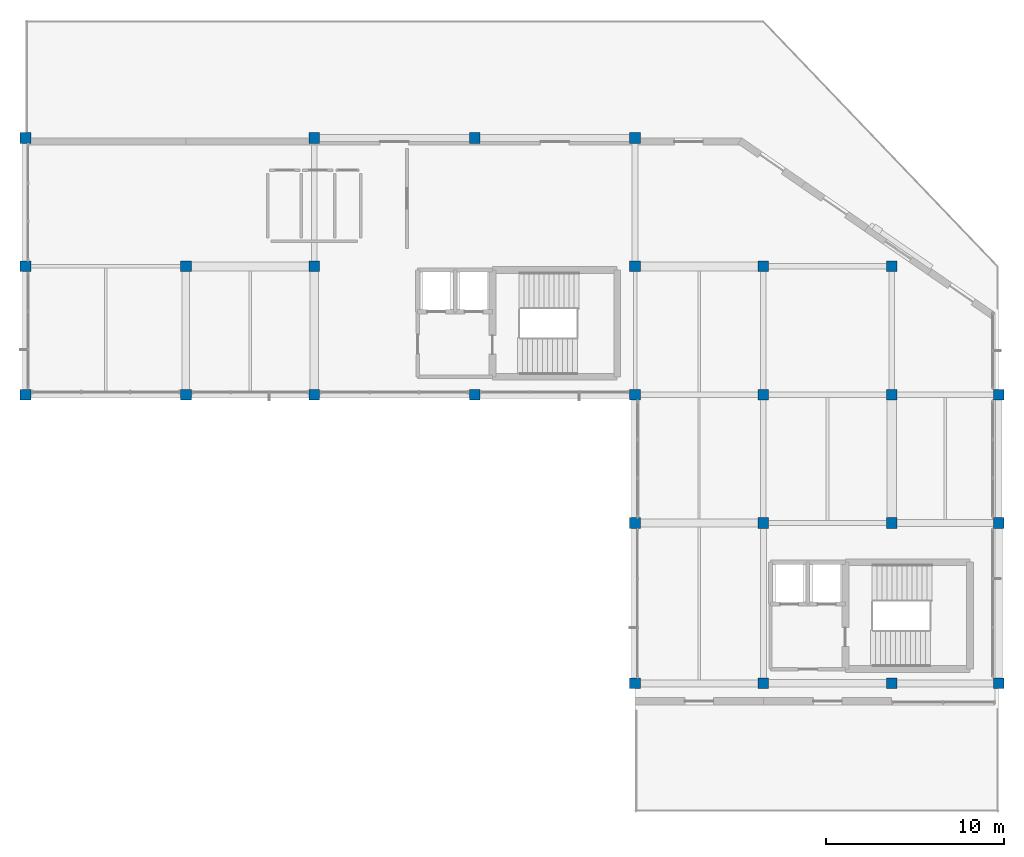
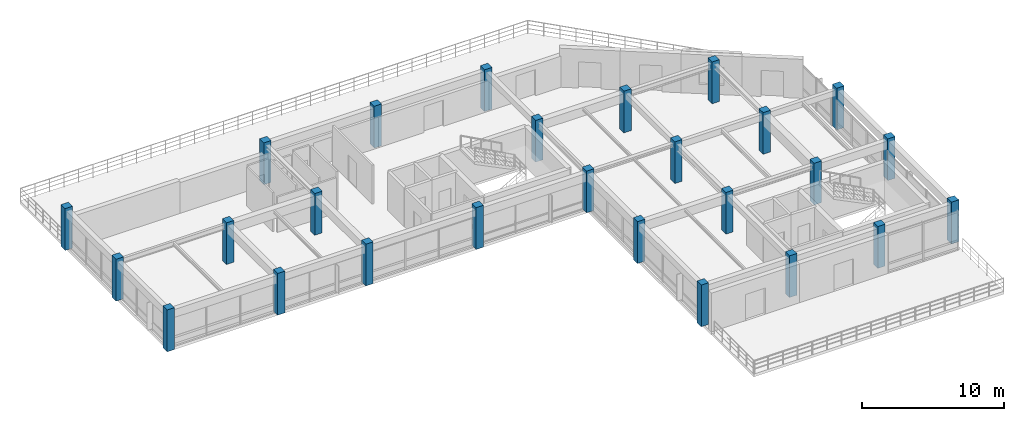
# One storey, part 1 of 12: 26 columns.
"""IFC4 building model written with IfcOpenShell, lengths in metres."""

from ifc_helpers import new_model, si_unit, direction, frame, origin, origin_2d, place, context, subcontext, project, spatial, rectangle, extrude, material, material_profile, profile_set, type_object, element, save


model = new_model("IFC4")

# Units and contexts
model_context = context("Model", 3, precision=1e-05, world=origin(), true_north=direction((0.0, 1.0)))
body_context = subcontext(model_context, "Body", "Model", "MODEL_VIEW")
ifc_project = project(units=[si_unit("LENGTHUNIT", "METRE"), si_unit("AREAUNIT", "SQUARE_METRE"), si_unit("VOLUMEUNIT", "CUBIC_METRE"), si_unit("PLANEANGLEUNIT", "RADIAN"), si_unit("MASSUNIT", "GRAM", prefix="KILO")], contexts=[model_context])

# Site, building, storey
site_placement = place(None, origin())
site = spatial("IfcSite", under=ifc_project, at=site_placement, CompositionType="ELEMENT")
building_placement = place(site_placement, origin())
building = spatial("IfcBuilding", under=site, at=building_placement, Name="Clarverna Civic Hall", CompositionType="ELEMENT")
storey_placement = place(building_placement, frame((0.0, 0.0, 24.0)))
storey = spatial("IfcBuildingStorey", under=building, at=storey_placement, Name="L06", CompositionType="ELEMENT", Elevation=24.0)

# Columns
ifc_material = material(Name="Concrete C35/45", Category="concrete")
ifc_material_profile = material_profile(ifc_material, rectangle(XDim=0.60009765625, YDim=0.60009765625, at=origin_2d()), Name="RC 600x600")
ifc_profile_set = profile_set([ifc_material_profile], Name="Concrete C35/45")
column_type = type_object("IfcColumnType", Name="C-RC10", PredefinedType="COLUMN", material=ifc_profile_set)
for number, where, z_axis, x_axis, name in (
    (1, (113.39990234375, 95.0, 0.0), (0.0, 0.0, 1.0), (1.0, 0.0, 0.0), "C-RC10-039"),
    (2, (113.39990234375, 102.199951171875, 0.0), (0.0, 0.0, 1.0), (1.0, 0.0, 0.0), "C-RC10-040"),
    (3, (113.39990234375, 109.39990234375, 0.0), (0.0, 0.0, 1.0), (1.0, 0.0, 0.0), "C-RC10-041"),
    (4, (122.39990234375, 95.0, 0.0), (0.0, 0.0, 1.0), (1.0, 0.0, 0.0), "C-RC10-042"),
    (5, (122.39990234375, 102.199951171875, 0.0), (0.0, 0.0, 1.0), (1.0, 0.0, 0.0), "C-RC10-043"),
    (6, (129.60009765625, 95.0, 0.0), (0.0, 0.0, 1.0), (1.0, 0.0, 0.0), "C-RC10-045"),
    (7, (129.60009765625, 102.199951171875, 0.0), (0.0, 0.0, 1.0), (1.0, 0.0, 0.0), "C-RC10-046"),
    (8, (129.60009765625, 109.39990234375, 0.0), (0.0, 0.0, 1.0), (1.0, 0.0, 0.0), "C-RC10-047"),
    (9, (138.60009765625, 95.0, 0.0), (0.0, 0.0, 1.0), (1.0, 0.0, 0.0), "C-RC10-048"),
    (10, (138.60009765625, 109.39990234375, 0.0), (0.0, 0.0, 1.0), (1.0, 0.0, 0.0), "C-RC10-049"),
    (11, (147.60009765625, 78.800048828125, 0.0), (0.0, 0.0, 1.0), (1.0, 0.0, 0.0), "C-RC10-051"),
    (12, (147.60009765625, 87.800048828125, 0.0), (0.0, 0.0, 1.0), (1.0, 0.0, 0.0), "C-RC10-052"),
    (13, (147.60009765625, 95.0, 0.0), (0.0, 0.0, 1.0), (1.0, 0.0, 0.0), "C-RC10-053"),
    (14, (147.60009765625, 102.199951171875, 0.0), (0.0, 0.0, 1.0), (1.0, 0.0, 0.0), "C-RC10-054"),
    (15, (147.60009765625, 109.39990234375, 0.0), (0.0, 0.0, 1.0), (1.0, 0.0, 0.0), "C-RC10-055"),
    (16, (154.800048828125, 78.800048828125, 0.0), (0.0, 0.0, 1.0), (1.0, 0.0, 0.0), "C-RC10-056"),
    (17, (154.800048828125, 87.800048828125, 0.0), (0.0, 0.0, 1.0), (1.0, 0.0, 0.0), "C-RC10-057"),
    (18, (154.800048828125, 95.0, 0.0), (0.0, 0.0, 1.0), (1.0, 0.0, 0.0), "C-RC10-058"),
    (19, (154.800048828125, 102.199951171875, 0.0), (0.0, 0.0, 1.0), (1.0, 0.0, 0.0), "C-RC10-059"),
    (20, (162.0, 78.800048828125, 0.0), (0.0, 0.0, 1.0), (1.0, 0.0, 0.0), "C-RC10-061"),
    (21, (162.0, 87.800048828125, 0.0), (0.0, 0.0, 1.0), (1.0, 0.0, 0.0), "C-RC10-062"),
    (22, (162.0, 95.0, 0.0), (0.0, 0.0, 1.0), (1.0, 0.0, 0.0), "C-RC10-063"),
    (23, (162.0, 102.199951171875, 0.0), (0.0, 0.0, 1.0), (1.0, 0.0, 0.0), "C-RC10-064"),
    (24, (168.0, 78.800048828125, 0.0), (0.0, 0.0, 1.0), (1.0, 0.0, 0.0), "C-RC10-065"),
    (25, (168.0, 87.800048828125, 0.0), (0.0, 0.0, 1.0), (1.0, 0.0, 0.0), "C-RC10-066"),
    (26, (168.0, 95.0, 0.0), (0.0, 0.0, 1.0), (1.0, 0.0, 0.0), "C-RC10-067"),
):
    element("IfcColumn", number, at=place(storey_placement, frame(where, z_axis=z_axis, x_axis=x_axis)), inside=storey, type_object=column_type, Name=name, PredefinedType="COLUMN", context=body_context, shape_type="SweptSolid", body=[
        extrude(rectangle(XDim=0.60009765625, YDim=0.60009765625, at=origin_2d()), origin(), (0.0, 0.0, 1.0), 3.60009765625),
    ])

save(model, "model.ifc")
